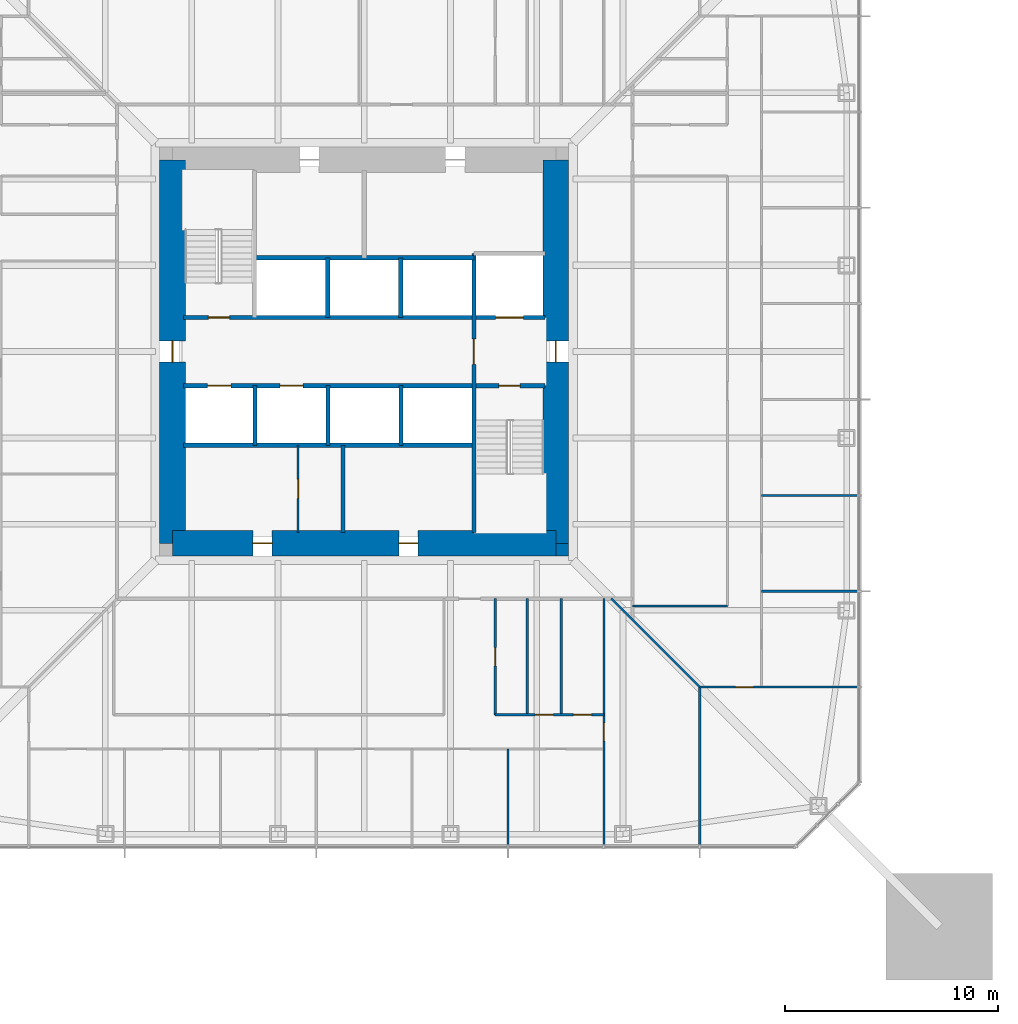
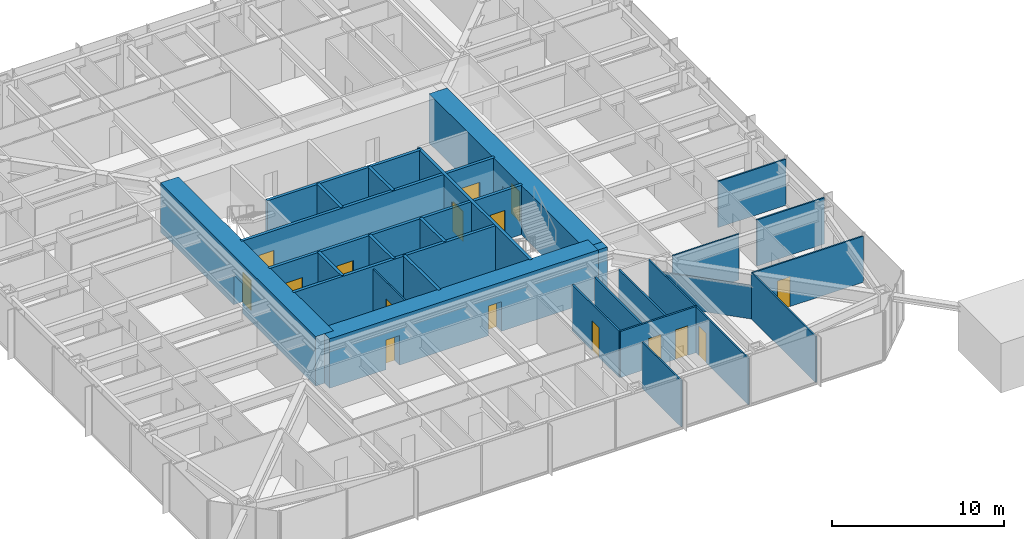
# One storey, part 15 of 26: 28 walls, 16 doors, 16 openings.
"""IFC4 building model written with IfcOpenShell, lengths in metres."""

from ifc_helpers import new_model, si_unit, direction, frame, frame_2d, origin, place, context, subcontext, project, spatial, rectangle, extrude, material, layer, layer_set, type_object, element, fill, save


model = new_model("IFC4")

# Units and contexts
model_context = context("Model", 3, precision=1e-05, world=origin(), true_north=direction((0.0, 1.0)))
body_context = subcontext(model_context, "Body", "Model", "MODEL_VIEW")
ifc_project = project(units=[si_unit("LENGTHUNIT", "METRE"), si_unit("AREAUNIT", "SQUARE_METRE"), si_unit("VOLUMEUNIT", "CUBIC_METRE"), si_unit("PLANEANGLEUNIT", "RADIAN"), si_unit("MASSUNIT", "GRAM", prefix="KILO")], contexts=[model_context])

# Site, building, storey
site_placement = place(None, origin())
site = spatial("IfcSite", under=ifc_project, at=site_placement, CompositionType="ELEMENT")
building_placement = place(site_placement, origin())
building = spatial("IfcBuilding", under=site, at=building_placement, Name="Iwan Alto Co-Living Towers", CompositionType="ELEMENT")
storey_placement = place(building_placement, frame((0.0, 0.0, 29.0)))
storey = spatial("IfcBuildingStorey", under=building, at=storey_placement, Name="L07", CompositionType="ELEMENT", Elevation=29.0)

# Wall, opening, door
ifc_material_1 = material(Name="Gypsum board")
ifc_layer_1 = layer(ifc_material_1, 0.012451171875, Name="Board", Category="Finish")
ifc_material_2 = material(Name="Steel ASTM A1003 ST33H cold-formed studs", Category="steel")
ifc_layer_2 = layer(ifc_material_2, 0.074951171875, Name="Studs", Category="Framing")
ifc_layer_3 = layer(ifc_material_1, 0.012451171875, Name="Board", Category="Finish")
ifc_layer_set_1 = layer_set([ifc_layer_1, ifc_layer_2, ifc_layer_3], Name="PARTITION 100")
wall_type_1 = type_object("IfcWallType", Name="PARTITION 100", PredefinedType="PARTITIONING", material=ifc_layer_set_1)
wall_1_placement = place(storey_placement, frame((15.75, -15.75, 0.0), z_axis=(0.0, 0.0, 1.0), x_axis=(1.0, 0.0, 0.0)))
wall_1 = element("IfcWall", 1, at=wall_1_placement, inside=storey, type_object=wall_type_1, Name="Partition L07", PredefinedType="PARTITIONING", context=body_context, shape_type="SweptSolid", body=[
    extrude(rectangle(XDim=7.43994140625, YDim=0.10009765625, at=frame_2d((3.719970703125, 0.0))), origin(), (0.0, 0.0, 1.0), 3.27001953125),
])
opening_1_placement = place(wall_1_placement, frame((1.675048828125, 0.0, 0.0)))
opening_1 = element("IfcOpeningElement", 2, at=opening_1_placement, cuts=wall_1, Name="Opening D2", PredefinedType="OPENING", context=body_context, shape_type="SweptSolid", body=[
    extrude(rectangle(XDim=0.85009765625, YDim=2.10009765625, at=frame_2d((0.425048828125, 1.050048828125))), frame((0.0, 0.06005859375, 0.0), z_axis=(0.0, -1.0, 0.0), x_axis=(1.0, 0.0, 0.0)), (0.0, 0.0, 1.0), 0.1201171875),
])
ifc_material_3 = material(Name="Timber leaf in steel frame", Category="steel")
door_type_1 = type_object("IfcDoorType", Name="ROOM DOOR 850X2100", OperationType="SINGLE_SWING_LEFT", PredefinedType="DOOR", material=ifc_material_3)
door_1_placement = place(opening_1_placement, origin())
door_1 = element("IfcDoor", 3, at=door_1_placement, inside=storey, type_object=door_type_1, Name="Shared kitchen and lounge door L07", OperationType="SINGLE_SWING_RIGHT", OverallHeight=2.10009765625, OverallWidth=0.85009765625, PredefinedType="DOOR", context=body_context, shape_type="SweptSolid", body=[
    extrude(rectangle(XDim=0.85009765625, YDim=2.10009765625, at=frame_2d((0.425048828125, 1.050048828125))), frame((0.0, 0.02490234375, 0.0), z_axis=(0.0, -1.0, 0.0), x_axis=(1.0, 0.0, 0.0)), (0.0, 0.0, 1.0), 0.050048828125),
])
fill(opening_1, door_1)

# Walls
wall_2_placement = place(storey_placement, frame((12.60009765625, -11.949951171875, 0.0), z_axis=(0.0, 0.0, 1.0), x_axis=(1.0, 0.0, 0.0)))
element("IfcWall", 4, at=wall_2_placement, inside=storey, type_object=wall_type_1, Name="Partition L07", PredefinedType="PARTITIONING", context=body_context, shape_type="SweptSolid", body=[
    extrude(rectangle(XDim=4.449951171875, YDim=0.10009765625, at=frame_2d((2.22509765625, 0.0))), origin(), (0.0, 0.0, 1.0), 3.27001953125),
])
for number, where, z_axis, x_axis, name in (
    (5, (18.64990234375, -11.25, 0.0), (0.0, 0.0, 1.0), (1.0, 0.0, 0.0), "Partition L07"),
    (6, (18.64990234375, -6.75, 0.0), (0.0, 0.0, 1.0), (1.0, 0.0, 0.0), "Partition L07"),
):
    element("IfcWall", number, at=place(storey_placement, frame(where, z_axis=z_axis, x_axis=x_axis)), inside=storey, type_object=wall_type_1, Name=name, PredefinedType="PARTITIONING", context=body_context, shape_type="SweptSolid", body=[
        extrude(rectangle(XDim=4.5400390625, YDim=0.10009765625, at=frame_2d((2.27001953125, 0.0))), origin(), (0.0, 0.0, 1.0), 3.27001953125),
    ])
wall_3_placement = place(storey_placement, frame((15.75, -23.18994140625, 0.0), z_axis=(0.0, 0.0, 1.0), x_axis=(0.0, 1.0, 0.0)))
element("IfcWall", 7, at=wall_3_placement, inside=storey, type_object=wall_type_1, Name="Partition L07", PredefinedType="PARTITIONING", context=body_context, shape_type="SweptSolid", body=[
    extrude(rectangle(XDim=7.43994140625, YDim=0.10009765625, at=frame_2d((3.719970703125, 0.0))), origin(), (0.0, 0.0, 1.0), 3.27001953125),
])

# Wall, opening, door
wall_4_placement = place(storey_placement, frame((11.25, -23.18994140625, 0.0), z_axis=(0.0, 0.0, 1.0), x_axis=(0.0, 1.0, 0.0)))
wall_4 = element("IfcWall", 8, at=wall_4_placement, inside=storey, type_object=wall_type_1, Name="Partition L07", PredefinedType="PARTITIONING", context=body_context, shape_type="SweptSolid", body=[
    extrude(rectangle(XDim=11.58984375, YDim=0.10009765625, at=frame_2d((5.794921875, 0.0))), origin(), (0.0, 0.0, 1.0), 3.27001953125),
])
opening_2_placement = place(wall_4_placement, frame((4.9150390625, 0.0, 0.0)))
opening_2 = element("IfcOpeningElement", 9, at=opening_2_placement, cuts=wall_4, Name="Opening D2", PredefinedType="OPENING", context=body_context, shape_type="SweptSolid", body=[
    extrude(rectangle(XDim=0.85009765625, YDim=2.10009765625, at=frame_2d((0.425048828125, 1.050048828125))), frame((0.0, 0.06005859375, 0.0), z_axis=(0.0, -1.0, 0.0), x_axis=(1.0, 0.0, 0.0)), (0.0, 0.0, 1.0), 0.1201171875),
])
door_2_placement = place(opening_2_placement, origin())
door_2 = element("IfcDoor", 10, at=door_2_placement, inside=storey, type_object=door_type_1, Name="Seminar room door L07", OperationType="SINGLE_SWING_LEFT", OverallHeight=2.10009765625, OverallWidth=0.85009765625, PredefinedType="DOOR", context=body_context, shape_type="SweptSolid", body=[
    extrude(rectangle(XDim=0.85009765625, YDim=2.10009765625, at=frame_2d((0.425048828125, 1.050048828125))), frame((0.0, 0.02490234375, 0.0), z_axis=(0.0, -1.0, 0.0), x_axis=(1.0, 0.0, 0.0)), (0.0, 0.0, 1.0), 0.050048828125),
])
fill(opening_2, door_2)

# Wall
wall_5_placement = place(storey_placement, frame((6.75, -23.18994140625, 0.0), z_axis=(0.0, 0.0, 1.0), x_axis=(0.0, 1.0, 0.0)))
element("IfcWall", 11, at=wall_5_placement, inside=storey, type_object=wall_type_1, Name="Partition L07", PredefinedType="PARTITIONING", context=body_context, shape_type="SweptSolid", body=[
    extrude(rectangle(XDim=4.5400390625, YDim=0.10009765625, at=frame_2d((2.27001953125, 0.0))), origin(), (0.0, 0.0, 1.0), 3.27001953125),
])

# Wall, opening, door
wall_6_placement = place(storey_placement, frame((-3.10009765625, -8.489990234375, 0.0), z_axis=(0.0, 0.0, 1.0), x_axis=(0.0, 1.0, 0.0)))
wall_6 = element("IfcWall", 12, at=wall_6_placement, inside=storey, type_object=wall_type_1, Name="Partition L07", PredefinedType="PARTITIONING", context=body_context, shape_type="SweptSolid", body=[
    extrude(rectangle(XDim=4.090087890625, YDim=0.10009765625, at=frame_2d((2.044921875, 0.0))), origin(), (0.0, 0.0, 1.0), 3.300048828125),
])
opening_3_placement = place(wall_6_placement, frame((1.594970703125, 0.0, 0.0)))
opening_3 = element("IfcOpeningElement", 13, at=opening_3_placement, cuts=wall_6, Name="Opening D16", PredefinedType="OPENING", context=body_context, shape_type="SweptSolid", body=[
    extrude(rectangle(XDim=0.89990234375, YDim=2.10009765625, at=frame_2d((0.449951171875, 1.050048828125))), frame((0.0, 0.06005859375, 0.0), z_axis=(0.0, -1.0, 0.0), x_axis=(1.0, 0.0, 0.0)), (0.0, 0.0, 1.0), 0.1201171875),
])
ifc_material_4 = material(Name="Timber leaf in steel frame", Category="steel")
door_type_2 = type_object("IfcDoorType", Name="CUPBOARD SLIDING DOOR 900X2100", OperationType="SLIDING_TO_LEFT", PredefinedType="DOOR", material=ifc_material_4)
door_3_placement = place(opening_3_placement, origin())
door_3 = element("IfcDoor", 14, at=door_3_placement, inside=storey, type_object=door_type_2, Name="Bulky waste store door L07", OperationType="SLIDING_TO_LEFT", OverallHeight=2.10009765625, OverallWidth=0.89990234375, PredefinedType="DOOR", context=body_context, shape_type="SweptSolid", body=[
    extrude(rectangle(XDim=0.89990234375, YDim=2.10009765625, at=frame_2d((0.449951171875, 1.050048828125))), frame((0.0, 0.02490234375, 0.0), z_axis=(0.0, -1.0, 0.0), x_axis=(1.0, 0.0, 0.0)), (0.0, 0.0, 1.0), 0.050048828125),
])
fill(opening_3, door_3)

# Walls
wall_7_placement = place(storey_placement, frame((15.75, -15.75, 0.0), z_axis=(0.0, 0.0, 1.0), x_axis=(-0.707106781187, 0.707106781187, 0.0)))
element("IfcWall", 15, at=wall_7_placement, inside=storey, type_object=wall_type_1, Name="Partition L07", PredefinedType="PARTITIONING", context=body_context, shape_type="SweptSolid", body=[
    extrude(rectangle(XDim=5.868896484375, YDim=0.10009765625, at=frame_2d((2.9345703125, 0.0))), origin(), (0.0, 0.0, 1.0), 2.343017578125),
])
ifc_material_5 = material(Name="Concrete f'c 70 MPa", Category="concrete")
ifc_layer_4 = layer(ifc_material_5, 0.199951171875)
ifc_layer_set_2 = layer_set([ifc_layer_4], Name="SHAFT WALL 200")
wall_type_2 = type_object("IfcWallType", Name="SHAFT WALL 200", PredefinedType="SOLIDWALL", material=ifc_layer_set_2)
wall_8_placement = place(storey_placement, frame((-8.489990234375, -4.39990234375, 0.0), z_axis=(0.0, 0.0, 1.0), x_axis=(1.0, 0.0, 0.0)))
element("IfcWall", 16, at=wall_8_placement, inside=storey, type_object=wall_type_2, Name="Shaft wall L07", PredefinedType="SOLIDWALL", context=body_context, shape_type="SweptSolid", body=[
    extrude(rectangle(XDim=13.639892578125, YDim=0.199951171875, at=frame_2d((6.81982421875, 0.0))), origin(), (0.0, 0.0, 1.0), 3.5),
])

# Wall, openings, doors
wall_9_placement = place(storey_placement, frame((-8.489990234375, -1.60009765625, 0.0), z_axis=(0.0, 0.0, 1.0), x_axis=(1.0, 0.0, 0.0)))
wall_9 = element("IfcWall", 17, at=wall_9_placement, inside=storey, type_object=wall_type_2, Name="Shaft wall L07", PredefinedType="SOLIDWALL", context=body_context, shape_type="SweptSolid", body=[
    extrude(rectangle(XDim=16.97998046875, YDim=0.199951171875, at=frame_2d((8.489990234375, 0.0))), origin(), (0.0, 0.0, 1.0), 3.5),
])
opening_4_placement = place(wall_9_placement, frame((14.81005859375, 0.0, 0.0)))
opening_4 = element("IfcOpeningElement", 18, at=opening_4_placement, cuts=wall_9, Name="Opening D5", PredefinedType="OPENING", context=body_context, shape_type="SweptSolid", body=[
    extrude(rectangle(XDim=1.0, YDim=2.10009765625, at=frame_2d((0.5, 1.050048828125))), frame((0.0, 0.10986328125, 0.0), z_axis=(0.0, -1.0, 0.0), x_axis=(1.0, 0.0, 0.0)), (0.0, 0.0, 1.0), 0.219970703125),
])
opening_5_placement = place(wall_9_placement, frame((1.133056640625, 0.0, 0.0)))
opening_5 = element("IfcOpeningElement", 19, at=opening_5_placement, cuts=wall_9, Name="Opening LD", PredefinedType="OPENING", context=body_context, shape_type="SweptSolid", body=[
    extrude(rectangle(XDim=1.10009765625, YDim=2.10009765625, at=frame_2d((0.550048828125, 1.050048828125))), frame((0.0, 0.10986328125, 0.0), z_axis=(0.0, -1.0, 0.0), x_axis=(1.0, 0.0, 0.0)), (0.0, 0.0, 1.0), 0.219970703125),
])
opening_6_placement = place(wall_9_placement, frame((4.528076171875, 0.0, 0.0)))
opening_6 = element("IfcOpeningElement", 20, at=opening_6_placement, cuts=wall_9, Name="Opening LD", PredefinedType="OPENING", context=body_context, shape_type="SweptSolid", body=[
    extrude(rectangle(XDim=1.10009765625, YDim=2.10009765625, at=frame_2d((0.550048828125, 1.050048828125))), frame((0.0, 0.10986328125, 0.0), z_axis=(0.0, -1.0, 0.0), x_axis=(1.0, 0.0, 0.0)), (0.0, 0.0, 1.0), 0.219970703125),
])
ifc_material_6 = material(Name="Steel frame with timber leaf", Category="steel")
door_type_3 = type_object("IfcDoorType", Name="LIFT LANDING DOOR 1100X2100", OperationType="DOUBLE_DOOR_SLIDING", PredefinedType="DOOR", material=ifc_material_6)
door_4_placement = place(opening_5_placement, origin())
door_4 = element("IfcDoor", 21, at=door_4_placement, inside=storey, type_object=door_type_3, Name="Lift P1-1 landing door L07", OperationType="DOUBLE_DOOR_SLIDING", OverallHeight=2.10009765625, OverallWidth=1.10009765625, PredefinedType="DOOR", context=body_context, shape_type="SweptSolid", body=[
    extrude(rectangle(XDim=1.10009765625, YDim=2.10009765625, at=frame_2d((0.550048828125, 1.050048828125))), frame((0.0, 0.02490234375, 0.0), z_axis=(0.0, -1.0, 0.0), x_axis=(1.0, 0.0, 0.0)), (0.0, 0.0, 1.0), 0.050048828125),
])
fill(opening_5, door_4)
door_5_placement = place(opening_6_placement, origin())
door_5 = element("IfcDoor", 22, at=door_5_placement, inside=storey, type_object=door_type_3, Name="Lift P1-2 landing door L07", OperationType="DOUBLE_DOOR_SLIDING", OverallHeight=2.10009765625, OverallWidth=1.10009765625, PredefinedType="DOOR", context=body_context, shape_type="SweptSolid", body=[
    extrude(rectangle(XDim=1.10009765625, YDim=2.10009765625, at=frame_2d((0.550048828125, 1.050048828125))), frame((0.0, 0.02490234375, 0.0), z_axis=(0.0, -1.0, 0.0), x_axis=(1.0, 0.0, 0.0)), (0.0, 0.0, 1.0), 0.050048828125),
])
fill(opening_6, door_5)
ifc_material_7 = material(Name="Steel frame with timber leaf", Category="steel")
door_type_4 = type_object("IfcDoorType", Name="STAIR DOOR FD120S 1000X2100", OperationType="SINGLE_SWING_LEFT", PredefinedType="DOOR", material=ifc_material_7)
door_6_placement = place(opening_4_placement, frame((1.0, 0.0, 0.0), z_axis=(0.0, 0.0, 1.0), x_axis=(-1.0, 0.0, 0.0)))
door_6 = element("IfcDoor", 23, at=door_6_placement, inside=storey, type_object=door_type_4, Name="Stair S2 door L07", OperationType="SINGLE_SWING_RIGHT", OverallHeight=2.10009765625, OverallWidth=1.0, PredefinedType="DOOR", context=body_context, shape_type="SweptSolid", body=[
    extrude(rectangle(XDim=1.0, YDim=2.10009765625, at=frame_2d((0.5, 1.050048828125))), frame((0.0, 0.02490234375, 0.0), z_axis=(0.0, -1.0, 0.0), x_axis=(1.0, 0.0, 0.0)), (0.0, 0.0, 1.0), 0.050048828125),
])
fill(opening_4, door_6)

wall_10_placement = place(storey_placement, frame((-8.489990234375, 1.60009765625, 0.0), z_axis=(0.0, 0.0, 1.0), x_axis=(1.0, 0.0, 0.0)))
wall_10 = element("IfcWall", 24, at=wall_10_placement, inside=storey, type_object=wall_type_2, Name="Shaft wall L07", PredefinedType="SOLIDWALL", context=body_context, shape_type="SweptSolid", body=[
    extrude(rectangle(XDim=16.97998046875, YDim=0.199951171875, at=frame_2d((8.489990234375, 0.0))), origin(), (0.0, 0.0, 1.0), 3.5),
])
opening_7_placement = place(wall_10_placement, frame((1.169921875, 0.0, 0.0)))
opening_7 = element("IfcOpeningElement", 25, at=opening_7_placement, cuts=wall_10, Name="Opening D5", PredefinedType="OPENING", context=body_context, shape_type="SweptSolid", body=[
    extrude(rectangle(XDim=1.0, YDim=2.10009765625, at=frame_2d((0.5, 1.050048828125))), frame((0.0, 0.10986328125, 0.0), z_axis=(0.0, -1.0, 0.0), x_axis=(1.0, 0.0, 0.0)), (0.0, 0.0, 1.0), 0.219970703125),
])
opening_8_placement = place(wall_10_placement, frame((14.659912109375, 0.0, 0.0)))
opening_8 = element("IfcOpeningElement", 26, at=opening_8_placement, cuts=wall_10, Name="Opening LD2", PredefinedType="OPENING", context=body_context, shape_type="SweptSolid", body=[
    extrude(rectangle(XDim=1.300048828125, YDim=2.10009765625, at=frame_2d((0.64990234375, 1.050048828125))), frame((0.0, 0.10986328125, 0.0), z_axis=(0.0, -1.0, 0.0), x_axis=(1.0, 0.0, 0.0)), (0.0, 0.0, 1.0), 0.219970703125),
])
ifc_material_8 = material(Name="Steel frame with timber leaf", Category="steel")
door_type_5 = type_object("IfcDoorType", Name="LIFT LANDING DOOR 1300X2100", OperationType="SLIDING_TO_LEFT", PredefinedType="DOOR", material=ifc_material_8)
door_7_placement = place(opening_8_placement, origin())
door_7 = element("IfcDoor", 27, at=door_7_placement, inside=storey, type_object=door_type_5, Name="Lift FL1 landing door L07", OperationType="SLIDING_TO_LEFT", OverallHeight=2.10009765625, OverallWidth=1.300048828125, PredefinedType="DOOR", context=body_context, shape_type="SweptSolid", body=[
    extrude(rectangle(XDim=1.300048828125, YDim=2.10009765625, at=frame_2d((0.64990234375, 1.050048828125))), frame((0.0, 0.02490234375, 0.0), z_axis=(0.0, -1.0, 0.0), x_axis=(1.0, 0.0, 0.0)), (0.0, 0.0, 1.0), 0.050048828125),
])
fill(opening_8, door_7)
door_8_placement = place(opening_7_placement, origin())
door_8 = element("IfcDoor", 28, at=door_8_placement, inside=storey, type_object=door_type_4, Name="Stair S1 door L07", OperationType="SINGLE_SWING_RIGHT", OverallHeight=2.10009765625, OverallWidth=1.0, PredefinedType="DOOR", context=body_context, shape_type="SweptSolid", body=[
    extrude(rectangle(XDim=1.0, YDim=2.10009765625, at=frame_2d((0.5, 1.050048828125))), frame((0.0, 0.02490234375, 0.0), z_axis=(0.0, -1.0, 0.0), x_axis=(1.0, 0.0, 0.0)), (0.0, 0.0, 1.0), 0.050048828125),
])
fill(opening_7, door_8)

# Wall
wall_11_placement = place(storey_placement, frame((-5.14990234375, 4.39990234375, 0.0), z_axis=(0.0, 0.0, 1.0), x_axis=(1.0, 0.0, 0.0)))
element("IfcWall", 29, at=wall_11_placement, inside=storey, type_object=wall_type_2, Name="Shaft wall L07", PredefinedType="SOLIDWALL", context=body_context, shape_type="SweptSolid", body=[
    extrude(rectangle(XDim=10.2998046875, YDim=0.199951171875, at=frame_2d((5.14990234375, 0.0))), origin(), (0.0, 0.0, 1.0), 3.5),
])

# Wall, opening, door
wall_12_placement = place(storey_placement, frame((5.14990234375, -8.489990234375, 0.0), z_axis=(0.0, 0.0, 1.0), x_axis=(0.0, 1.0, 0.0)))
wall_12 = element("IfcWall", 30, at=wall_12_placement, inside=storey, type_object=wall_type_2, Name="Shaft wall L07", PredefinedType="SOLIDWALL", context=body_context, shape_type="SweptSolid", body=[
    extrude(rectangle(XDim=13.090087890625, YDim=0.199951171875, at=frame_2d((6.544921875, 0.0))), origin(), (0.0, 0.0, 1.0), 3.5),
])
opening_9_placement = place(wall_12_placement, frame((7.889892578125, 0.0, 0.0)))
opening_9 = element("IfcOpeningElement", 31, at=opening_9_placement, cuts=wall_12, Name="Opening D6", PredefinedType="OPENING", context=body_context, shape_type="SweptSolid", body=[
    extrude(rectangle(XDim=1.199951171875, YDim=2.10009765625, at=frame_2d((0.60009765625, 1.050048828125))), frame((0.0, 0.10986328125, 0.0), z_axis=(0.0, -1.0, 0.0), x_axis=(1.0, 0.0, 0.0)), (0.0, 0.0, 1.0), 0.219970703125),
])
ifc_material_9 = material(Name="Steel frame with timber leaf", Category="steel")
door_type_6 = type_object("IfcDoorType", Name="LOBBY DOOR FD120S 1200X2100", OperationType="SINGLE_SWING_LEFT", PredefinedType="DOOR", material=ifc_material_9)
door_9_placement = place(opening_9_placement, frame((1.199951171875, 0.0, 0.0), z_axis=(0.0, 0.0, 1.0), x_axis=(-1.0, 0.0, 0.0)))
door_9 = element("IfcDoor", 32, at=door_9_placement, inside=storey, type_object=door_type_6, Name="Firefighting lobby door L07", OperationType="SINGLE_SWING_RIGHT", OverallHeight=2.10009765625, OverallWidth=1.199951171875, PredefinedType="DOOR", context=body_context, shape_type="SweptSolid", body=[
    extrude(rectangle(XDim=1.199951171875, YDim=2.10009765625, at=frame_2d((0.60009765625, 1.050048828125))), frame((0.0, 0.02490234375, 0.0), z_axis=(0.0, -1.0, 0.0), x_axis=(1.0, 0.0, 0.0)), (0.0, 0.0, 1.0), 0.050048828125),
])
fill(opening_9, door_9)

# Walls
for number, where, z_axis, x_axis, name in (
    (33, (1.72509765625, -4.39990234375, 0.0), (0.0, 0.0, 1.0), (0.0, 1.0, 0.0), "Shaft wall L07"),
    (34, (1.717041015625, 1.60009765625, 0.0), (0.0, 0.0, 1.0), (0.0, 1.0, 0.0), "Shaft wall L07"),
):
    element("IfcWall", number, at=place(storey_placement, frame(where, z_axis=z_axis, x_axis=x_axis)), inside=storey, type_object=wall_type_2, Name=name, PredefinedType="SOLIDWALL", context=body_context, shape_type="SweptSolid", body=[
        extrude(rectangle(XDim=2.7998046875, YDim=0.199951171875, at=frame_2d((1.39990234375, 0.0))), origin(), (0.0, 0.0, 1.0), 3.5),
    ])
wall_13_placement = place(storey_placement, frame((-1.0, -8.489990234375, 0.0), z_axis=(0.0, 0.0, 1.0), x_axis=(0.0, 1.0, 0.0)))
element("IfcWall", 35, at=wall_13_placement, inside=storey, type_object=wall_type_2, Name="Shaft wall L07", PredefinedType="SOLIDWALL", context=body_context, shape_type="SweptSolid", body=[
    extrude(rectangle(XDim=4.090087890625, YDim=0.199951171875, at=frame_2d((2.044921875, 0.0))), origin(), (0.0, 0.0, 1.0), 3.5),
])
for number, where, z_axis, x_axis, name in (
    (36, (-1.699951171875, -4.39990234375, 0.0), (0.0, 0.0, 1.0), (0.0, 1.0, 0.0), "Shaft wall L07"),
    (37, (-1.717041015625, 1.60009765625, 0.0), (0.0, 0.0, 1.0), (0.0, 1.0, 0.0), "Shaft wall L07"),
    (38, (-5.125, -4.39990234375, 0.0), (0.0, 0.0, 1.0), (0.0, 1.0, 0.0), "Shaft wall L07"),
):
    element("IfcWall", number, at=place(storey_placement, frame(where, z_axis=z_axis, x_axis=x_axis)), inside=storey, type_object=wall_type_2, Name=name, PredefinedType="SOLIDWALL", context=body_context, shape_type="SweptSolid", body=[
        extrude(rectangle(XDim=2.7998046875, YDim=0.199951171875, at=frame_2d((1.39990234375, 0.0))), origin(), (0.0, 0.0, 1.0), 3.5),
    ])
ifc_material_10 = material(Name="Concrete f'c 70 MPa", Category="concrete")
ifc_layer_5 = layer(ifc_material_10, 0.60009765625)
ifc_layer_set_3 = layer_set([ifc_layer_5], Name="T1 CORE CORNER FILL 600")
wall_type_3 = type_object("IfcWallType", Name="T1 CORE CORNER FILL 600", PredefinedType="SOLIDWALL", material=ifc_layer_set_3)
wall_14_placement = place(storey_placement, frame((9.0, -9.300048828125, 0.0), z_axis=(0.0, 0.0, 1.0), x_axis=(1.0, 0.0, 0.0)))
element("IfcWall", 39, at=wall_14_placement, inside=storey, type_object=wall_type_3, Name="T1 core corner SE L07", PredefinedType="SOLIDWALL", context=body_context, shape_type="SweptSolid", body=[
    extrude(rectangle(XDim=0.60009765625, YDim=0.60009765625, at=frame_2d((0.300048828125, 0.0))), origin(), (0.0, 0.0, 1.0), 3.5),
])

# Wall, openings, doors
ifc_material_11 = material(Name="Concrete f'c 70 MPa", Category="concrete")
ifc_layer_6 = layer(ifc_material_11, 1.199951171875)
ifc_layer_set_4 = layer_set([ifc_layer_6], Name="T1 CORE WALL 1200")
wall_type_4 = type_object("IfcWallType", Name="T1 CORE WALL 1200", PredefinedType="SHEAR", material=ifc_layer_set_4)
wall_15_placement = place(storey_placement, frame((-9.0, -9.0, 0.0), z_axis=(0.0, 0.0, 1.0), x_axis=(1.0, 0.0, 0.0)))
wall_15 = element("IfcWall", 40, at=wall_15_placement, inside=storey, type_object=wall_type_4, Name="T1 core wall S L07", PredefinedType="SHEAR", context=body_context, shape_type="SweptSolid", body=[
    extrude(rectangle(XDim=18.0, YDim=1.199951171875, at=frame_2d((9.0, 0.0))), origin(), (0.0, 0.0, 1.0), 3.5),
])
opening_10_placement = place(wall_15_placement, frame((3.77490234375, 0.0, 0.0)))
opening_10 = element("IfcOpeningElement", 41, at=opening_10_placement, cuts=wall_15, Name="Opening D8", PredefinedType="OPENING", context=body_context, shape_type="SweptSolid", body=[
    extrude(rectangle(XDim=0.89990234375, YDim=2.10009765625, at=frame_2d((0.449951171875, 1.050048828125))), frame((0.0, 0.60986328125, 0.0), z_axis=(0.0, -1.0, 0.0), x_axis=(1.0, 0.0, 0.0)), (0.0, 0.0, 1.0), 1.219970703125),
])
opening_11_placement = place(wall_15_placement, frame((10.625, 0.0, 0.0)))
opening_11 = element("IfcOpeningElement", 42, at=opening_11_placement, cuts=wall_15, Name="Opening D8", PredefinedType="OPENING", context=body_context, shape_type="SweptSolid", body=[
    extrude(rectangle(XDim=0.89990234375, YDim=2.10009765625, at=frame_2d((0.449951171875, 1.050048828125))), frame((0.0, 0.60986328125, 0.0), z_axis=(0.0, -1.0, 0.0), x_axis=(1.0, 0.0, 0.0)), (0.0, 0.0, 1.0), 1.219970703125),
])
ifc_material_12 = material(Name="Steel frame with timber leaf", Category="steel")
door_type_7 = type_object("IfcDoorType", Name="RISER DOOR FD120 900X2100", OperationType="SINGLE_SWING_LEFT", PredefinedType="DOOR", material=ifc_material_12)
door_10_placement = place(opening_10_placement, origin())
door_10 = element("IfcDoor", 43, at=door_10_placement, inside=storey, type_object=door_type_7, Name="Refuse room core door L07", OperationType="SINGLE_SWING_RIGHT", OverallHeight=2.10009765625, OverallWidth=0.89990234375, PredefinedType="DOOR", context=body_context, shape_type="SweptSolid", body=[
    extrude(rectangle(XDim=0.89990234375, YDim=2.10009765625, at=frame_2d((0.449951171875, 1.050048828125))), frame((0.0, 0.02490234375, 0.0), z_axis=(0.0, -1.0, 0.0), x_axis=(1.0, 0.0, 0.0)), (0.0, 0.0, 1.0), 0.050048828125),
])
fill(opening_10, door_10)
door_11_placement = place(opening_11_placement, origin())
door_11 = element("IfcDoor", 44, at=door_11_placement, inside=storey, type_object=door_type_7, Name="Telecom riser core door L07", OperationType="SINGLE_SWING_LEFT", OverallHeight=2.10009765625, OverallWidth=0.89990234375, PredefinedType="DOOR", context=body_context, shape_type="SweptSolid", body=[
    extrude(rectangle(XDim=0.89990234375, YDim=2.10009765625, at=frame_2d((0.449951171875, 1.050048828125))), frame((0.0, 0.02490234375, 0.0), z_axis=(0.0, -1.0, 0.0), x_axis=(1.0, 0.0, 0.0)), (0.0, 0.0, 1.0), 0.050048828125),
])
fill(opening_11, door_11)

# Wall, opening, door
wall_16_placement = place(storey_placement, frame((9.0, -9.0, 0.0), z_axis=(0.0, 0.0, 1.0), x_axis=(0.0, 1.0, 0.0)))
wall_16 = element("IfcWall", 45, at=wall_16_placement, inside=storey, type_object=wall_type_4, Name="T1 core wall E L07", PredefinedType="SHEAR", context=body_context, shape_type="SweptSolid", body=[
    extrude(rectangle(XDim=18.0, YDim=1.199951171875, at=frame_2d((9.0, 0.0))), origin(), (0.0, 0.0, 1.0), 3.5),
])
opening_12_placement = place(wall_16_placement, frame((8.5, 0.0, 0.0)))
opening_12 = element("IfcOpeningElement", 46, at=opening_12_placement, cuts=wall_16, Name="Opening D7", PredefinedType="OPENING", context=body_context, shape_type="SweptSolid", body=[
    extrude(rectangle(XDim=1.0, YDim=2.10009765625, at=frame_2d((0.5, 1.050048828125))), frame((0.0, 0.60986328125, 0.0), z_axis=(0.0, -1.0, 0.0), x_axis=(1.0, 0.0, 0.0)), (0.0, 0.0, 1.0), 1.219970703125),
])
ifc_material_13 = material(Name="Steel frame with timber leaf", Category="steel")
door_type_8 = type_object("IfcDoorType", Name="CORE DOOR FD120S 1000X2100", OperationType="SINGLE_SWING_LEFT", PredefinedType="DOOR", material=ifc_material_13)
door_12_placement = place(opening_12_placement, origin())
door_12 = element("IfcDoor", 47, at=door_12_placement, inside=storey, type_object=door_type_8, Name="Firefighting lobby core door L07", OperationType="SINGLE_SWING_LEFT", OverallHeight=2.10009765625, OverallWidth=1.0, PredefinedType="DOOR", context=body_context, shape_type="SweptSolid", body=[
    extrude(rectangle(XDim=1.0, YDim=2.10009765625, at=frame_2d((0.5, 1.050048828125))), frame((0.0, 0.02490234375, 0.0), z_axis=(0.0, -1.0, 0.0), x_axis=(1.0, 0.0, 0.0)), (0.0, 0.0, 1.0), 0.050048828125),
])
fill(opening_12, door_12)

wall_17_placement = place(storey_placement, frame((-9.0, 9.0, 0.0), z_axis=(0.0, 0.0, 1.0), x_axis=(0.0, -1.0, 0.0)))
wall_17 = element("IfcWall", 48, at=wall_17_placement, inside=storey, type_object=wall_type_4, Name="T1 core wall W L07", PredefinedType="SHEAR", context=body_context, shape_type="SweptSolid", body=[
    extrude(rectangle(XDim=18.0, YDim=1.199951171875, at=frame_2d((9.0, 0.0))), origin(), (0.0, 0.0, 1.0), 3.5),
])
opening_13_placement = place(wall_17_placement, frame((8.5, 0.0, 0.0)))
opening_13 = element("IfcOpeningElement", 49, at=opening_13_placement, cuts=wall_17, Name="Opening D7", PredefinedType="OPENING", context=body_context, shape_type="SweptSolid", body=[
    extrude(rectangle(XDim=1.0, YDim=2.10009765625, at=frame_2d((0.5, 1.050048828125))), frame((0.0, 0.60986328125, 0.0), z_axis=(0.0, -1.0, 0.0), x_axis=(1.0, 0.0, 0.0)), (0.0, 0.0, 1.0), 1.219970703125),
])
door_13_placement = place(opening_13_placement, origin())
door_13 = element("IfcDoor", 50, at=door_13_placement, inside=storey, type_object=door_type_8, Name="Lift lobby core door L07", OperationType="SINGLE_SWING_RIGHT", OverallHeight=2.10009765625, OverallWidth=1.0, PredefinedType="DOOR", context=body_context, shape_type="SweptSolid", body=[
    extrude(rectangle(XDim=1.0, YDim=2.10009765625, at=frame_2d((0.5, 1.050048828125))), frame((0.0, 0.02490234375, 0.0), z_axis=(0.0, -1.0, 0.0), x_axis=(1.0, 0.0, 0.0)), (0.0, 0.0, 1.0), 0.050048828125),
])
fill(opening_13, door_13)

# Wall, openings, doors
ifc_material_14 = material(Name="Cement board")
ifc_layer_7 = layer(ifc_material_14, 0.012451171875, Name="Board", Category="Finish")
ifc_layer_8 = layer(ifc_material_2, 0.094970703125, Name="Studs", Category="Framing")
ifc_layer_9 = layer(ifc_material_14, 0.012451171875, Name="Board", Category="Finish")
ifc_layer_set_5 = layer_set([ifc_layer_7, ifc_layer_8, ifc_layer_9], Name="WET AREA PARTITION 120")
wall_type_5 = type_object("IfcWallType", Name="WET AREA PARTITION 120", PredefinedType="PARTITIONING", material=ifc_layer_set_5)
wall_18_placement = place(storey_placement, frame((6.14990234375, -17.050048828125, 0.0), z_axis=(0.0, 0.0, 1.0), x_axis=(1.0, 0.0, 0.0)))
wall_18 = element("IfcWall", 51, at=wall_18_placement, inside=storey, type_object=wall_type_5, Name="Partition L07", PredefinedType="PARTITIONING", context=body_context, shape_type="SweptSolid", body=[
    extrude(rectangle(XDim=5.10009765625, YDim=0.1201171875, at=frame_2d((2.550048828125, 0.0))), origin(), (0.0, 0.0, 1.0), 3.27001953125),
])
opening_14_placement = place(wall_18_placement, frame((1.875, 0.0, 0.0)))
opening_14 = element("IfcOpeningElement", 52, at=opening_14_placement, cuts=wall_18, Name="Opening D2", PredefinedType="OPENING", context=body_context, shape_type="SweptSolid", body=[
    extrude(rectangle(XDim=0.85009765625, YDim=2.10009765625, at=frame_2d((0.425048828125, 1.050048828125))), frame((0.0, 0.070068359375, 0.0), z_axis=(0.0, -1.0, 0.0), x_axis=(1.0, 0.0, 0.0)), (0.0, 0.0, 1.0), 0.14013671875),
])
opening_15_placement = place(wall_18_placement, frame((3.675048828125, 0.0, 0.0)))
opening_15 = element("IfcOpeningElement", 53, at=opening_15_placement, cuts=wall_18, Name="Opening D2", PredefinedType="OPENING", context=body_context, shape_type="SweptSolid", body=[
    extrude(rectangle(XDim=0.85009765625, YDim=2.10009765625, at=frame_2d((0.425048828125, 1.050048828125))), frame((0.0, 0.070068359375, 0.0), z_axis=(0.0, -1.0, 0.0), x_axis=(1.0, 0.0, 0.0)), (0.0, 0.0, 1.0), 0.14013671875),
])
door_14_placement = place(opening_14_placement, frame((0.85009765625, 0.0, 0.0), z_axis=(0.0, 0.0, 1.0), x_axis=(-1.0, 0.0, 0.0)))
door_14 = element("IfcDoor", 54, at=door_14_placement, inside=storey, type_object=door_type_1, Name="Accessible bathroom door L07", OperationType="SINGLE_SWING_LEFT", OverallHeight=2.10009765625, OverallWidth=0.85009765625, PredefinedType="DOOR", context=body_context, shape_type="SweptSolid", body=[
    extrude(rectangle(XDim=0.85009765625, YDim=2.10009765625, at=frame_2d((0.425048828125, 1.050048828125))), frame((0.0, 0.02490234375, 0.0), z_axis=(0.0, -1.0, 0.0), x_axis=(1.0, 0.0, 0.0)), (0.0, 0.0, 1.0), 0.050048828125),
])
fill(opening_14, door_14)
door_15_placement = place(opening_15_placement, frame((0.85009765625, 0.0, 0.0), z_axis=(0.0, 0.0, 1.0), x_axis=(-1.0, 0.0, 0.0)))
door_15 = element("IfcDoor", 55, at=door_15_placement, inside=storey, type_object=door_type_1, Name="Laundry door L07", OperationType="SINGLE_SWING_LEFT", OverallHeight=2.10009765625, OverallWidth=0.85009765625, PredefinedType="DOOR", context=body_context, shape_type="SweptSolid", body=[
    extrude(rectangle(XDim=0.85009765625, YDim=2.10009765625, at=frame_2d((0.425048828125, 1.050048828125))), frame((0.0, 0.02490234375, 0.0), z_axis=(0.0, -1.0, 0.0), x_axis=(1.0, 0.0, 0.0)), (0.0, 0.0, 1.0), 0.050048828125),
])
fill(opening_15, door_15)

# Walls
for number, where, z_axis, x_axis, name in (
    (56, (9.25, -17.050048828125, 0.0), (0.0, 0.0, 1.0), (0.0, 1.0, 0.0), "Partition L07"),
    (57, (7.64990234375, -17.050048828125, 0.0), (0.0, 0.0, 1.0), (0.0, 1.0, 0.0), "Partition L07"),
):
    element("IfcWall", number, at=place(storey_placement, frame(where, z_axis=z_axis, x_axis=x_axis)), inside=storey, type_object=wall_type_5, Name=name, PredefinedType="PARTITIONING", context=body_context, shape_type="SweptSolid", body=[
        extrude(rectangle(XDim=5.449951171875, YDim=0.1201171875, at=frame_2d((2.72509765625, 0.0))), origin(), (0.0, 0.0, 1.0), 3.27001953125),
    ])

# Wall, opening, door
wall_19_placement = place(storey_placement, frame((6.14990234375, -17.050048828125, 0.0), z_axis=(0.0, 0.0, 1.0), x_axis=(0.0, 1.0, 0.0)))
wall_19 = element("IfcWall", 58, at=wall_19_placement, inside=storey, type_object=wall_type_5, Name="Partition L07", PredefinedType="PARTITIONING", context=body_context, shape_type="SweptSolid", body=[
    extrude(rectangle(XDim=5.449951171875, YDim=0.1201171875, at=frame_2d((2.72509765625, 0.0))), origin(), (0.0, 0.0, 1.0), 3.27001953125),
])
opening_16_placement = place(wall_19_placement, frame((2.300048828125, 0.0, 0.0)))
opening_16 = element("IfcOpeningElement", 59, at=opening_16_placement, cuts=wall_19, Name="Opening D2", PredefinedType="OPENING", context=body_context, shape_type="SweptSolid", body=[
    extrude(rectangle(XDim=0.85009765625, YDim=2.10009765625, at=frame_2d((0.425048828125, 1.050048828125))), frame((0.0, 0.070068359375, 0.0), z_axis=(0.0, -1.0, 0.0), x_axis=(1.0, 0.0, 0.0)), (0.0, 0.0, 1.0), 0.14013671875),
])
door_16_placement = place(opening_16_placement, origin())
door_16 = element("IfcDoor", 60, at=door_16_placement, inside=storey, type_object=door_type_1, Name="Bathroom door L07", OperationType="SINGLE_SWING_RIGHT", OverallHeight=2.10009765625, OverallWidth=0.85009765625, PredefinedType="DOOR", context=body_context, shape_type="SweptSolid", body=[
    extrude(rectangle(XDim=0.85009765625, YDim=2.10009765625, at=frame_2d((0.425048828125, 1.050048828125))), frame((0.0, 0.02490234375, 0.0), z_axis=(0.0, -1.0, 0.0), x_axis=(1.0, 0.0, 0.0)), (0.0, 0.0, 1.0), 0.050048828125),
])
fill(opening_16, door_16)

save(model, "model.ifc")
